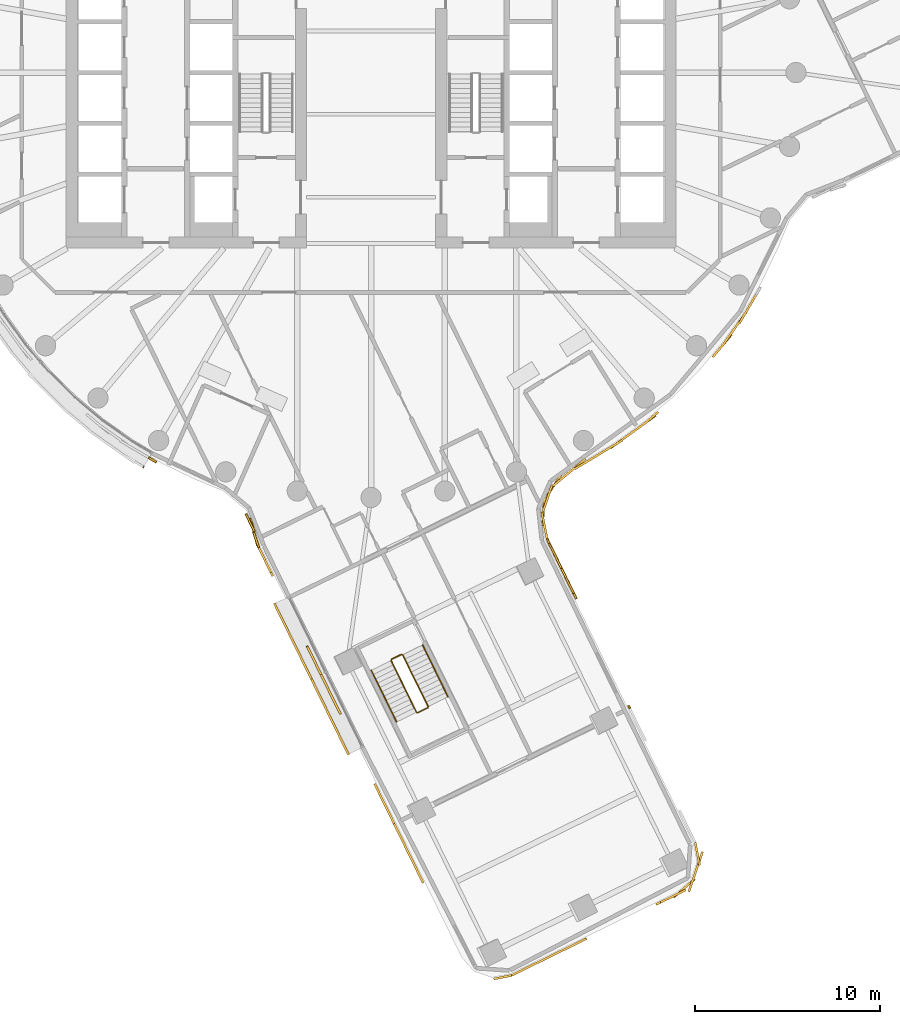
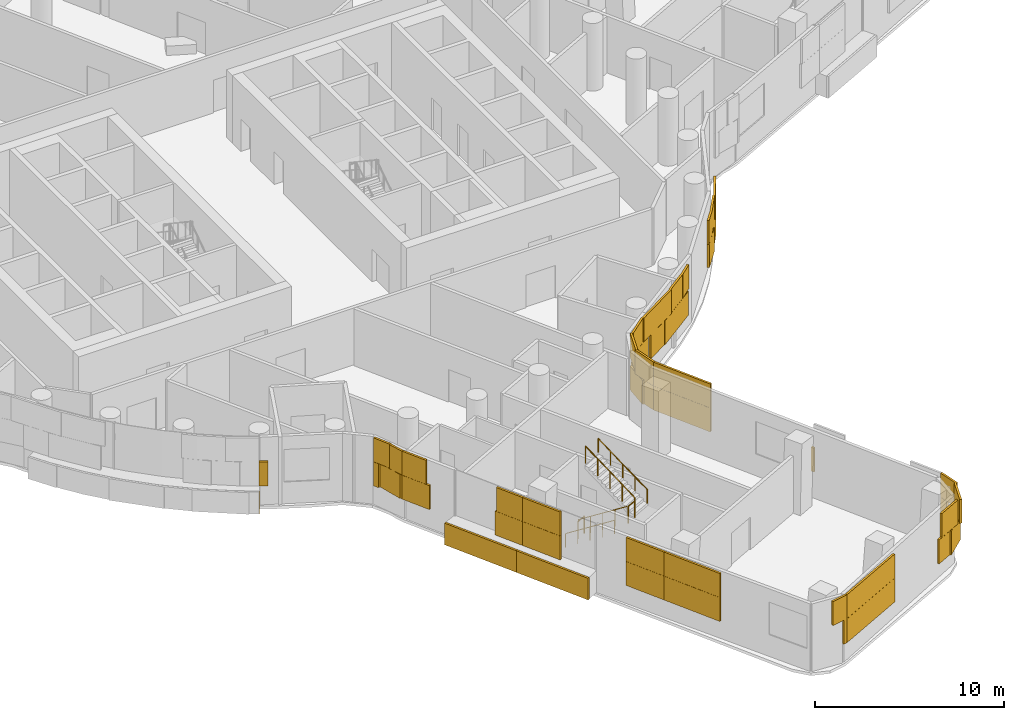
# One storey, part 17 of 23: 7 coverings, 6 railings.
"""IFC4 building model written with IfcOpenShell, lengths in metres."""

from ifc_helpers import new_model, si_unit, direction, frame, origin, origin_2d, place, context, subcontext, project, spatial, rectangle, circle, extrude, material, layer, layer_set, type_object, element, save


model = new_model("IFC4")

# Units and contexts
model_context = context("Model", 3, precision=1e-05, world=origin(), true_north=direction((0.0, 1.0)))
body_context = subcontext(model_context, "Body", "Model", "MODEL_VIEW")
ifc_project = project(units=[si_unit("LENGTHUNIT", "METRE"), si_unit("AREAUNIT", "SQUARE_METRE"), si_unit("VOLUMEUNIT", "CUBIC_METRE"), si_unit("PLANEANGLEUNIT", "RADIAN"), si_unit("MASSUNIT", "GRAM", prefix="KILO")], contexts=[model_context])

# Site, building, storey
site_placement = place(None, origin())
site = spatial("IfcSite", under=ifc_project, at=site_placement, CompositionType="ELEMENT")
building_placement = place(site_placement, origin())
building = spatial("IfcBuilding", under=site, at=building_placement, Name="Tamarind Cross Interchange Tower", CompositionType="ELEMENT")
storey_placement = place(building_placement, frame((0.0, 0.0, 128.5)))
storey = spatial("IfcBuildingStorey", under=building, at=storey_placement, Name="L31", CompositionType="ELEMENT", Elevation=128.5)

# Railings
ifc_material_1 = material(Name="Stair guard")
railing_type_1 = type_object("IfcRailingType", Name="Stair guard", PredefinedType="GUARDRAIL", material=ifc_material_1)
railing_1_placement = place(storey_placement, frame((1.08642578125, -31.8251953125, 0.173095703125)))
element("IfcRailing", 1, at=railing_1_placement, inside=storey, type_object=railing_type_1, Name="L31 ST6 stair guard 1", PredefinedType="GUARDRAIL", context=body_context, shape_type="SweptSolid", body=[
    extrude(circle(Radius=0.02392578125, at=origin_2d()), frame((0.0, 0.0, 1.076171875), z_axis=(0.366474920223, -0.747410813124, 0.554141867461), x_axis=(0.897874629568, 0.440251234613, 0.0)), (0.0, 0.0, 1.0), 3.748046875),
    extrude(circle(Radius=0.02099609375, at=origin_2d()), origin(), (0.0, 0.0, 1.0), 1.052001953125),
    extrude(circle(Radius=0.02099609375, at=origin_2d()), frame((0.34326171875, -0.7001953125, 0.519287109375)), (0.0, 0.0, 1.0), 1.052001953125),
    extrude(circle(Radius=0.02099609375, at=origin_2d()), frame((0.686767578125, -1.400634765625, 1.03857421875)), (0.0, 0.0, 1.0), 1.052001953125),
    extrude(circle(Radius=0.02099609375, at=origin_2d()), frame((1.0302734375, -2.10107421875, 1.5576171875)), (0.0, 0.0, 1.0), 1.052001953125),
    extrude(circle(Radius=0.02099609375, at=origin_2d()), frame((1.37353515625, -2.80126953125, 2.076904296875)), (0.0, 0.0, 1.0), 1.052001953125),
])
railing_2_placement = place(storey_placement, frame((2.52685546875, -34.6494140625, 2.25)))
element("IfcRailing", 2, at=railing_2_placement, inside=storey, type_object=railing_type_1, Name="L31 ST6 stair guard 2", PredefinedType="GUARDRAIL", context=body_context, shape_type="SweptSolid", body=[
    extrude(circle(Radius=0.02392578125, at=origin_2d()), frame((0.0, 0.0, 1.076171875), z_axis=(0.897898651784, 0.44020223889, 0.0), x_axis=(-0.44020223889, 0.897898651784, 0.0)), (0.0, 0.0, 1.0), 0.60009765625),
    extrude(circle(Radius=0.02099609375, at=origin_2d()), origin(), (0.0, 0.0, 1.0), 1.052001953125),
    extrude(circle(Radius=0.02099609375, at=origin_2d()), frame((0.538818359375, 0.26416015625, 0.0)), (0.0, 0.0, 1.0), 1.052001953125),
])
railing_3_placement = place(storey_placement, frame((3.088623046875, -34.318359375, 2.423095703125)))
element("IfcRailing", 3, at=railing_3_placement, inside=storey, type_object=railing_type_1, Name="L31 ST6 stair guard 3", PredefinedType="GUARDRAIL", context=body_context, shape_type="SweptSolid", body=[
    extrude(circle(Radius=0.02392578125, at=origin_2d()), frame((0.0, 0.0, 1.076171875), z_axis=(-0.366457078558, 0.747439562114, 0.554114889316), x_axis=(-0.897889795051, -0.440220303874, 0.0)), (0.0, 0.0, 1.0), 3.748046875),
    extrude(circle(Radius=0.02099609375, at=origin_2d()), origin(), (0.0, 0.0, 1.0), 1.052001953125),
    extrude(circle(Radius=0.02099609375, at=origin_2d()), frame((-0.34326171875, 0.700439453125, 0.519287109375)), (0.0, 0.0, 1.0), 1.052001953125),
    extrude(circle(Radius=0.02099609375, at=origin_2d()), frame((-0.686767578125, 1.40087890625, 1.03857421875)), (0.0, 0.0, 1.0), 1.052001953125),
    extrude(circle(Radius=0.02099609375, at=origin_2d()), frame((-1.0302734375, 2.10107421875, 1.5576171875)), (0.0, 0.0, 1.0), 1.052001953125),
    extrude(circle(Radius=0.02099609375, at=origin_2d()), frame((-1.37353515625, 2.801513671875, 2.076904296875)), (0.0, 0.0, 1.0), 1.052001953125),
])
railing_4_placement = place(storey_placement, frame((1.109375, -31.758056640625, 0.0)))
element("IfcRailing", 4, at=railing_4_placement, inside=storey, type_object=railing_type_1, Name="L31 ST6 stair guard 4", PredefinedType="GUARDRAIL", context=body_context, shape_type="SweptSolid", body=[
    extrude(circle(Radius=0.02392578125, at=origin_2d()), frame((0.0, 0.0, 1.076171875), z_axis=(0.897898651784, 0.44020223889, 0.0), x_axis=(-0.44020223889, 0.897898651784, 0.0)), (0.0, 0.0, 1.0), 0.60009765625),
    extrude(circle(Radius=0.02099609375, at=origin_2d()), origin(), (0.0, 0.0, 1.0), 1.052001953125),
    extrude(circle(Radius=0.02099609375, at=origin_2d()), frame((0.538818359375, 0.26416015625, 0.0)), (0.0, 0.0, 1.0), 1.052001953125),
])
ifc_material_2 = material(Name="Stair handrail")
railing_type_2 = type_object("IfcRailingType", Name="Stair handrail", PredefinedType="HANDRAIL", material=ifc_material_2)
railing_5_placement = place(storey_placement, frame((0.009033203125, -32.353271484375, 0.173095703125)))
element("IfcRailing", 5, at=railing_5_placement, inside=storey, type_object=railing_type_2, Name="L31 ST6 stair handrail 1", PredefinedType="HANDRAIL", context=body_context, shape_type="SweptSolid", body=[
    extrude(circle(Radius=0.02392578125, at=origin_2d()), frame((0.0, 0.0, 0.8759765625), z_axis=(0.366457078558, -0.747439562114, 0.554114889316), x_axis=(0.897889795051, 0.440220303874, 0.0)), (0.0, 0.0, 1.0), 3.748046875),
    extrude(circle(Radius=0.02099609375, at=origin_2d()), origin(), (0.0, 0.0, 1.0), 0.851806640625),
    extrude(circle(Radius=0.02099609375, at=origin_2d()), frame((0.34326171875, -0.700439453125, 0.519287109375)), (0.0, 0.0, 1.0), 0.851806640625),
    extrude(circle(Radius=0.02099609375, at=origin_2d()), frame((0.686767578125, -1.40087890625, 1.03857421875)), (0.0, 0.0, 1.0), 0.851806640625),
    extrude(circle(Radius=0.02099609375, at=origin_2d()), frame((1.0302734375, -2.10107421875, 1.5576171875)), (0.0, 0.0, 1.0), 0.851806640625),
    extrude(circle(Radius=0.02099609375, at=origin_2d()), frame((1.37353515625, -2.801513671875, 2.076904296875)), (0.0, 0.0, 1.0), 0.851806640625),
])
railing_6_placement = place(storey_placement, frame((4.166015625, -33.7900390625, 2.423095703125)))
element("IfcRailing", 6, at=railing_6_placement, inside=storey, type_object=railing_type_2, Name="L31 ST6 stair handrail 2", PredefinedType="HANDRAIL", context=body_context, shape_type="SweptSolid", body=[
    extrude(circle(Radius=0.02392578125, at=origin_2d()), frame((0.0, 0.0, 0.8759765625), z_axis=(-0.366457078558, 0.747439562114, 0.554114889316), x_axis=(-0.897889795051, -0.440220303874, 0.0)), (0.0, 0.0, 1.0), 3.748046875),
    extrude(circle(Radius=0.02099609375, at=origin_2d()), origin(), (0.0, 0.0, 1.0), 0.851806640625),
    extrude(circle(Radius=0.02099609375, at=origin_2d()), frame((-0.34326171875, 0.700439453125, 0.519287109375)), (0.0, 0.0, 1.0), 0.851806640625),
    extrude(circle(Radius=0.02099609375, at=origin_2d()), frame((-0.686767578125, 1.40087890625, 1.03857421875)), (0.0, 0.0, 1.0), 0.851806640625),
    extrude(circle(Radius=0.02099609375, at=origin_2d()), frame((-1.0302734375, 2.10107421875, 1.5576171875)), (0.0, 0.0, 1.0), 0.851806640625),
    extrude(circle(Radius=0.02099609375, at=origin_2d()), frame((-1.37353515625, 2.801513671875, 2.076904296875)), (0.0, 0.0, 1.0), 0.851806640625),
])

# Coverings
ifc_material_3 = material(Name="Terracotta", Category="masonry")
ifc_layer = layer(ifc_material_3, 0.1201171875)
ifc_layer_set = layer_set([ifc_layer], Name="Terracotta")
covering_type = type_object("IfcCoveringType", Name="Terracotta baguette screen unit", PredefinedType="MOLDING", material=ifc_layer_set)
covering_1_placement = place(storey_placement, origin())
element("IfcCovering", 7, at=covering_1_placement, inside=storey, type_object=covering_type, Name="SCR-L31-02-01", PredefinedType="MOLDING", context=body_context, shape_type="SweptSolid", body=[
    extrude(rectangle(XDim=0.481201171875, YDim=0.1201171875, at=origin_2d()), frame((-11.832275390625, -20.960693359375, 1.404052734375), z_axis=(0.0, 0.0, 1.0), x_axis=(0.861248933065, -0.508183308752, 0.0)), (0.0, 0.0, 1.0), 1.5419921875),
    extrude(rectangle(XDim=0.3271484375, YDim=0.1201171875, at=origin_2d()), frame((-6.70361328125, -24.02978515625, 1.404052734375), z_axis=(0.0, 0.0, 1.0), x_axis=(0.430685201848, -0.902502219891, 0.0)), (0.0, 0.0, 1.0), 1.5419921875),
    extrude(rectangle(XDim=1.52001953125, YDim=0.1201171875, at=origin_2d()), frame((-6.33837890625, -24.859375, 1.404052734375), z_axis=(0.0, 0.0, 1.0), x_axis=(0.252867517288, -0.967500914057, 0.0)), (0.0, 0.0, 1.0), 1.5419921875),
    extrude(rectangle(XDim=0.147216796875, YDim=0.1201171875, at=origin_2d()), frame((-6.1005859375, -25.64208984375, 1.404052734375), z_axis=(0.0, 0.0, 1.0), x_axis=(0.319290123445, -0.947657014468, 0.0)), (0.0, 0.0, 1.0), 1.5419921875),
    extrude(rectangle(XDim=1.0771484375, YDim=0.1201171875, at=origin_2d()), frame((-6.5419921875, -24.3681640625, 2.9541015625), z_axis=(0.0, 0.0, 1.0), x_axis=(0.430685201848, -0.902502219891, 0.0)), (0.0, 0.0, 1.0), 1.5419921875),
    extrude(rectangle(XDim=0.897216796875, YDim=0.1201171875, at=origin_2d()), frame((-6.220458984375, -25.286865234375, 2.9541015625), z_axis=(0.0, 0.0, 1.0), x_axis=(0.319290123445, -0.947657014468, 0.0)), (0.0, 0.0, 1.0), 1.5419921875),
    extrude(rectangle(XDim=0.03076171875, YDim=0.1201171875, at=origin_2d()), frame((-12.30908203125, -21.345947265625, 0.00390625), z_axis=(0.0, 0.0, 1.0), x_axis=(0.861248933065, -0.508183308752, 0.0)), (0.0, 0.0, 1.0), 1.39208984375),
])
covering_2_placement = place(storey_placement, origin())
element("IfcCovering", 8, at=covering_2_placement, inside=storey, type_object=covering_type, Name="SCR-L31-03-00", PredefinedType="MOLDING", context=body_context, shape_type="SweptSolid", body=[
    extrude(rectangle(XDim=0.760009765625, YDim=0.1201171875, at=origin_2d()), frame((-5.91357421875, -26.0439453125, 1.404052734375), z_axis=(0.0, 0.0, 1.0), x_axis=(0.440252613806, -0.897873953312, 0.0)), (0.0, 0.0, 1.0), 1.5419921875),
    extrude(rectangle(XDim=0.983642578125, YDim=0.1201171875, at=origin_2d()), frame((-5.5341796875, -26.817626953125, 1.404052734375), z_axis=(0.0, 0.0, 1.0), x_axis=(0.440252613806, -0.897873953312, 0.0)), (0.0, 0.0, 1.0), 1.5419921875),
    extrude(rectangle(XDim=0.83642578125, YDim=0.1201171875, at=origin_2d()), frame((-3.288818359375, -31.396728515625, 1.404052734375), z_axis=(0.0, 0.0, 1.0), x_axis=(0.440252613806, -0.897873953312, 0.0)), (0.0, 0.0, 1.0), 1.5419921875),
    extrude(rectangle(XDim=0.9072265625, YDim=0.1201171875, at=origin_2d()), frame((-2.909423828125, -32.170654296875, 1.404052734375), z_axis=(0.0, 0.0, 1.0), x_axis=(0.440252613806, -0.897873953312, 0.0)), (0.0, 0.0, 1.0), 1.5419921875),
    extrude(rectangle(XDim=1.510009765625, YDim=0.1201171875, at=origin_2d()), frame((-5.74853515625, -26.380615234375, 2.9541015625), z_axis=(0.0, 0.0, 1.0), x_axis=(0.440252613806, -0.897873953312, 0.0)), (0.0, 0.0, 1.0), 1.5419921875),
    extrude(rectangle(XDim=1.52001953125, YDim=0.1201171875, at=origin_2d()), frame((-3.10693359375, -31.767822265625, 2.9541015625), z_axis=(0.0, 0.0, 1.0), x_axis=(0.440252613806, -0.897873953312, 0.0)), (0.0, 0.0, 1.0), 1.5419921875),
    extrude(rectangle(XDim=0.1572265625, YDim=0.1201171875, at=origin_2d()), frame((-2.744384765625, -32.50732421875, 2.9541015625), z_axis=(0.0, 0.0, 1.0), x_axis=(0.440252613806, -0.897873953312, 0.0)), (0.0, 0.0, 1.0), 1.5419921875),
    extrude(rectangle(XDim=0.641845703125, YDim=0.1201171875, at=origin_2d()), frame((-5.0966796875, -29.013916015625, 0.00390625), z_axis=(0.0, 0.0, 1.0), x_axis=(0.440252613806, -0.897873953312, 0.0)), (0.0, 0.0, 1.0), 1.39208984375),
    extrude(rectangle(XDim=1.52001953125, YDim=0.1201171875, at=origin_2d()), frame((-4.629638671875, -29.966552734375, 0.00390625), z_axis=(0.0, 0.0, 1.0), x_axis=(0.440252613806, -0.897873953312, 0.0)), (0.0, 0.0, 1.0), 1.39208984375),
    extrude(rectangle(XDim=1.52001953125, YDim=0.1201171875, at=origin_2d()), frame((-3.96923828125, -31.313232421875, 0.00390625), z_axis=(0.0, 0.0, 1.0), x_axis=(0.440252613806, -0.897873953312, 0.0)), (0.0, 0.0, 1.0), 1.39208984375),
    extrude(rectangle(XDim=0.942138671875, YDim=0.1201171875, at=origin_2d()), frame((-3.43603515625, -32.400634765625, 0.00390625), z_axis=(0.0, 0.0, 1.0), x_axis=(0.440252613806, -0.897873953312, 0.0)), (0.0, 0.0, 1.0), 1.39208984375),
])
covering_3_placement = place(storey_placement, origin())
element("IfcCovering", 9, at=covering_3_placement, inside=storey, type_object=covering_type, Name="SCR-L31-03-01", PredefinedType="MOLDING", context=body_context, shape_type="SweptSolid", body=[
    extrude(rectangle(XDim=0.61279296875, YDim=0.1201171875, at=origin_2d()), frame((-2.579345703125, -32.843994140625, 1.404052734375), z_axis=(0.0, 0.0, 1.0), x_axis=(0.440252613806, -0.897873953312, 0.0)), (0.0, 0.0, 1.0), 1.5419921875),
    extrude(rectangle(XDim=1.52001953125, YDim=0.1201171875, at=origin_2d()), frame((-2.116455078125, -33.7880859375, 1.404052734375), z_axis=(0.0, 0.0, 1.0), x_axis=(0.440252613806, -0.897873953312, 0.0)), (0.0, 0.0, 1.0), 1.5419921875),
    extrude(rectangle(XDim=0.310546875, YDim=0.1201171875, at=origin_2d()), frame((-1.72021484375, -34.59619140625, 1.404052734375), z_axis=(0.0, 0.0, 1.0), x_axis=(0.440252613806, -0.897873953312, 0.0)), (0.0, 0.0, 1.0), 1.5419921875),
    extrude(rectangle(XDim=1.509521484375, YDim=0.1201171875, at=origin_2d()), frame((0.525146484375, -39.175537109375, 1.404052734375), z_axis=(0.0, 0.0, 1.0), x_axis=(0.440252613806, -0.897873953312, 0.0)), (0.0, 0.0, 1.0), 1.5419921875),
    extrude(rectangle(XDim=0.913818359375, YDim=0.1201171875, at=origin_2d()), frame((1.05419921875, -40.25439453125, 1.404052734375), z_axis=(0.0, 0.0, 1.0), x_axis=(0.440252613806, -0.897873953312, 0.0)), (0.0, 0.0, 1.0), 1.5419921875),
    extrude(rectangle(XDim=1.36279296875, YDim=0.1201171875, at=origin_2d()), frame((-2.414306640625, -33.1806640625, 2.9541015625), z_axis=(0.0, 0.0, 1.0), x_axis=(0.440252613806, -0.897873953312, 0.0)), (0.0, 0.0, 1.0), 1.5419921875),
    extrude(rectangle(XDim=1.060546875, YDim=0.1201171875, at=origin_2d()), frame((-1.88525390625, -34.259521484375, 2.9541015625), z_axis=(0.0, 0.0, 1.0), x_axis=(0.440252613806, -0.897873953312, 0.0)), (0.0, 0.0, 1.0), 1.5419921875),
    extrude(rectangle(XDim=0.759521484375, YDim=0.1201171875, at=origin_2d()), frame((0.360107421875, -38.8388671875, 2.9541015625), z_axis=(0.0, 0.0, 1.0), x_axis=(0.440252613806, -0.897873953312, 0.0)), (0.0, 0.0, 1.0), 1.5419921875),
    extrude(rectangle(XDim=1.52001953125, YDim=0.1201171875, at=origin_2d()), frame((0.855224609375, -39.8486328125, 2.9541015625), z_axis=(0.0, 0.0, 1.0), x_axis=(0.440252613806, -0.897873953312, 0.0)), (0.0, 0.0, 1.0), 1.5419921875),
    extrude(rectangle(XDim=0.163818359375, YDim=0.1201171875, at=origin_2d()), frame((1.21923828125, -40.591064453125, 2.9541015625), z_axis=(0.0, 0.0, 1.0), x_axis=(0.440252613806, -0.897873953312, 0.0)), (0.0, 0.0, 1.0), 1.5419921875),
    extrude(rectangle(XDim=0.577880859375, YDim=0.1201171875, at=origin_2d()), frame((-3.101318359375, -33.0830078125, 0.00390625), z_axis=(0.0, 0.0, 1.0), x_axis=(0.440252613806, -0.897873953312, 0.0)), (0.0, 0.0, 1.0), 1.39208984375),
    extrude(rectangle(XDim=1.52001953125, YDim=0.1201171875, at=origin_2d()), frame((-2.6484375, -34.0068359375, 0.00390625), z_axis=(0.0, 0.0, 1.0), x_axis=(0.440252613806, -0.897873953312, 0.0)), (0.0, 0.0, 1.0), 1.39208984375),
    extrude(rectangle(XDim=1.52001953125, YDim=0.1201171875, at=origin_2d()), frame((-1.988037109375, -35.353759765625, 0.00390625), z_axis=(0.0, 0.0, 1.0), x_axis=(0.440252613806, -0.897873953312, 0.0)), (0.0, 0.0, 1.0), 1.39208984375),
    extrude(rectangle(XDim=1.00634765625, YDim=0.1201171875, at=origin_2d()), frame((-1.440673828125, -36.469970703125, 0.00390625), z_axis=(0.0, 0.0, 1.0), x_axis=(0.440252613806, -0.897873953312, 0.0)), (0.0, 0.0, 1.0), 1.39208984375),
])
covering_4_placement = place(storey_placement, origin())
element("IfcCovering", 10, at=covering_4_placement, inside=storey, type_object=covering_type, Name="SCR-L31-03-02", PredefinedType="MOLDING", context=body_context, shape_type="SweptSolid", body=[
    extrude(rectangle(XDim=0.606201171875, YDim=0.1201171875, at=origin_2d()), frame((1.38427734375, -40.927734375, 1.404052734375), z_axis=(0.0, 0.0, 1.0), x_axis=(0.440252613806, -0.897873953312, 0.0)), (0.0, 0.0, 1.0), 1.5419921875),
    extrude(rectangle(XDim=1.52001953125, YDim=0.1201171875, at=origin_2d()), frame((1.845947265625, -41.868896484375, 1.404052734375), z_axis=(0.0, 0.0, 1.0), x_axis=(0.440252613806, -0.897873953312, 0.0)), (0.0, 0.0, 1.0), 1.5419921875),
    extrude(rectangle(XDim=1.469970703125, YDim=0.1201171875, at=origin_2d()), frame((2.497314453125, -43.19775390625, 1.404052734375), z_axis=(0.0, 0.0, 1.0), x_axis=(0.440252613806, -0.897873953312, 0.0)), (0.0, 0.0, 1.0), 1.5419921875),
    extrude(rectangle(XDim=0.22607421875, YDim=0.1201171875, at=origin_2d()), frame((7.488037109375, -48.892333984375, 1.404052734375), z_axis=(0.0, 0.0, 1.0), x_axis=(0.981225401366, 0.192864490548, 0.0)), (0.0, 0.0, 1.0), 1.5419921875),
    extrude(rectangle(XDim=1.356201171875, YDim=0.1201171875, at=origin_2d()), frame((1.549560546875, -41.264404296875, 2.9541015625), z_axis=(0.0, 0.0, 1.0), x_axis=(0.440252613806, -0.897873953312, 0.0)), (0.0, 0.0, 1.0), 1.5419921875),
    extrude(rectangle(XDim=1.52001953125, YDim=0.1201171875, at=origin_2d()), frame((2.176025390625, -42.542236328125, 2.9541015625), z_axis=(0.0, 0.0, 1.0), x_axis=(0.440252613806, -0.897873953312, 0.0)), (0.0, 0.0, 1.0), 1.5419921875),
    extrude(rectangle(XDim=0.719970703125, YDim=0.1201171875, at=origin_2d()), frame((2.662353515625, -43.534423828125, 2.9541015625), z_axis=(0.0, 0.0, 1.0), x_axis=(0.440252613806, -0.897873953312, 0.0)), (0.0, 0.0, 1.0), 1.5419921875),
    extrude(rectangle(XDim=0.97607421875, YDim=0.1201171875, at=origin_2d()), frame((7.1201171875, -48.964599609375, 2.9541015625), z_axis=(0.0, 0.0, 1.0), x_axis=(0.981225401366, 0.192864490548, 0.0)), (0.0, 0.0, 1.0), 1.5419921875),
])
covering_5_placement = place(storey_placement, origin())
element("IfcCovering", 11, at=covering_5_placement, inside=storey, type_object=covering_type, Name="SCR-L31-04-00", PredefinedType="MOLDING", context=body_context, shape_type="SweptSolid", body=[
    extrude(rectangle(XDim=0.760009765625, YDim=0.1201171875, at=origin_2d()), frame((7.9306640625, -48.70654296875, 1.404052734375), z_axis=(0.0, 0.0, 1.0), x_axis=(0.897873953312, 0.440252613806, 0.0)), (0.0, 0.0, 1.0), 1.5419921875),
    extrude(rectangle(XDim=1.52001953125, YDim=0.1201171875, at=origin_2d()), frame((8.940673828125, -48.211181640625, 1.404052734375), z_axis=(0.0, 0.0, 1.0), x_axis=(0.897873953312, 0.440252613806, 0.0)), (0.0, 0.0, 1.0), 1.5419921875),
    extrude(rectangle(XDim=1.52001953125, YDim=0.1201171875, at=origin_2d()), frame((10.28759765625, -47.55078125, 1.404052734375), z_axis=(0.0, 0.0, 1.0), x_axis=(0.897873953312, 0.440252613806, 0.0)), (0.0, 0.0, 1.0), 1.5419921875),
    extrude(rectangle(XDim=0.784912109375, YDim=0.1201171875, at=origin_2d()), frame((11.308837890625, -47.050048828125, 1.404052734375), z_axis=(0.0, 0.0, 1.0), x_axis=(0.897873953312, 0.440252613806, 0.0)), (0.0, 0.0, 1.0), 1.5419921875),
    extrude(rectangle(XDim=1.03515625, YDim=0.1201171875, at=origin_2d()), frame((15.887939453125, -44.8046875, 1.404052734375), z_axis=(0.0, 0.0, 1.0), x_axis=(0.897873953312, 0.440252613806, 0.0)), (0.0, 0.0, 1.0), 1.5419921875),
    extrude(rectangle(XDim=1.52001953125, YDim=0.1201171875, at=origin_2d()), frame((16.952880859375, -44.145263671875, 1.404052734375), z_axis=(0.0, 0.0, 1.0), x_axis=(0.753333879147, 0.657638248986, 0.0)), (0.0, 0.0, 1.0), 1.5419921875),
    extrude(rectangle(XDim=1.52001953125, YDim=0.1201171875, at=origin_2d()), frame((17.69384765625, -42.897705078125, 1.404052734375), z_axis=(0.0, 0.0, 1.0), x_axis=(0.32358715238, 0.946198369695, 0.0)), (0.0, 0.0, 1.0), 1.5419921875),
    extrude(rectangle(XDim=0.509521484375, YDim=0.1201171875, at=origin_2d()), frame((17.59326171875, -41.9228515625, 1.404052734375), z_axis=(0.0, 0.0, 1.0), x_axis=(-0.192864490548, 0.981225401366, 0.0)), (0.0, 0.0, 1.0), 1.5419921875),
    extrude(rectangle(XDim=1.510009765625, YDim=0.1201171875, at=origin_2d()), frame((8.267333984375, -48.541259765625, 2.9541015625), z_axis=(0.0, 0.0, 1.0), x_axis=(0.897873953312, 0.440252613806, 0.0)), (0.0, 0.0, 1.0), 1.5419921875),
    extrude(rectangle(XDim=1.52001953125, YDim=0.1201171875, at=origin_2d()), frame((9.6142578125, -47.881103515625, 2.9541015625), z_axis=(0.0, 0.0, 1.0), x_axis=(0.897873953312, 0.440252613806, 0.0)), (0.0, 0.0, 1.0), 1.5419921875),
    extrude(rectangle(XDim=1.52001953125, YDim=0.1201171875, at=origin_2d()), frame((10.9609375, -47.220703125, 2.9541015625), z_axis=(0.0, 0.0, 1.0), x_axis=(0.897873953312, 0.440252613806, 0.0)), (0.0, 0.0, 1.0), 1.5419921875),
    extrude(rectangle(XDim=1.52001953125, YDim=0.1201171875, at=origin_2d()), frame((16.34814453125, -44.5791015625, 2.9541015625), z_axis=(0.0, 0.0, 1.0), x_axis=(0.897873953312, 0.440252613806, 0.0)), (0.0, 0.0, 1.0), 1.5419921875),
    extrude(rectangle(XDim=1.52001953125, YDim=0.1201171875, at=origin_2d()), frame((17.451171875, -43.607421875, 2.9541015625), z_axis=(0.0, 0.0, 1.0), x_axis=(0.32358715238, 0.946198369695, 0.0)), (0.0, 0.0, 1.0), 1.5419921875),
    extrude(rectangle(XDim=1.259521484375, YDim=0.1201171875, at=origin_2d()), frame((17.66552734375, -42.291015625, 2.9541015625), z_axis=(0.0, 0.0, 1.0), x_axis=(-0.192864490548, 0.981225401366, 0.0)), (0.0, 0.0, 1.0), 1.5419921875),
])
covering_6_placement = place(storey_placement, origin())
element("IfcCovering", 12, at=covering_6_placement, inside=storey, type_object=covering_type, Name="SCR-L31-05-01", PredefinedType="MOLDING", context=body_context, shape_type="SweptSolid", body=[
    extrude(rectangle(XDim=0.179443359375, YDim=0.1201171875, at=origin_2d()), frame((13.9638671875, -34.33984375, 1.404052734375), z_axis=(0.0, 0.0, 1.0), x_axis=(-0.438582979909, 0.898690697479, 0.0)), (0.0, 0.0, 1.0), 1.5419921875),
    extrude(rectangle(XDim=1.07958984375, YDim=0.1201171875, at=origin_2d()), frame((10.871826171875, -28.004150390625, 1.404052734375), z_axis=(0.0, 0.0, 1.0), x_axis=(-0.438582979909, 0.898690697479, 0.0)), (0.0, 0.0, 1.0), 1.5419921875),
    extrude(rectangle(XDim=1.52001953125, YDim=0.1201171875, at=origin_2d()), frame((10.308349609375, -26.849365234375, 1.404052734375), z_axis=(0.0, 0.0, 1.0), x_axis=(-0.438582979909, 0.898690697479, 0.0)), (0.0, 0.0, 1.0), 1.5419921875),
    extrude(rectangle(XDim=1.04052734375, YDim=0.1201171875, at=origin_2d()), frame((9.75341796875, -25.71240234375, 1.404052734375), z_axis=(0.0, 0.0, 1.0), x_axis=(-0.438582979909, 0.898690697479, 0.0)), (0.0, 0.0, 1.0), 1.5419921875),
    extrude(rectangle(XDim=0.32958984375, YDim=0.1201171875, at=origin_2d()), frame((11.036376953125, -28.341064453125, 2.9541015625), z_axis=(0.0, 0.0, 1.0), x_axis=(-0.438582979909, 0.898690697479, 0.0)), (0.0, 0.0, 1.0), 1.5419921875),
    extrude(rectangle(XDim=1.52001953125, YDim=0.1201171875, at=origin_2d()), frame((10.63720703125, -27.5234375, 2.9541015625), z_axis=(0.0, 0.0, 1.0), x_axis=(-0.438582979909, 0.898690697479, 0.0)), (0.0, 0.0, 1.0), 1.5419921875),
    extrude(rectangle(XDim=1.52001953125, YDim=0.1201171875, at=origin_2d()), frame((9.9794921875, -26.175537109375, 2.9541015625), z_axis=(0.0, 0.0, 1.0), x_axis=(-0.438582979909, 0.898690697479, 0.0)), (0.0, 0.0, 1.0), 1.5419921875),
    extrude(rectangle(XDim=0.29052734375, YDim=0.1201171875, at=origin_2d()), frame((9.5888671875, -25.375244140625, 2.9541015625), z_axis=(0.0, 0.0, 1.0), x_axis=(-0.438582979909, 0.898690697479, 0.0)), (0.0, 0.0, 1.0), 1.5419921875),
])
covering_7_placement = place(storey_placement, origin())
element("IfcCovering", 13, at=covering_7_placement, inside=storey, type_object=covering_type, Name="SCR-L31-06-00", PredefinedType="MOLDING", context=body_context, shape_type="SweptSolid", body=[
    extrude(rectangle(XDim=0.760009765625, YDim=0.1201171875, at=origin_2d()), frame((9.455078125, -24.88134765625, 1.404052734375), z_axis=(0.0, 0.0, 1.0), x_axis=(-0.192672199254, 0.98126317756, 0.0)), (0.0, 0.0, 1.0), 1.5419921875),
    extrude(rectangle(XDim=1.52001953125, YDim=0.1201171875, at=origin_2d()), frame((9.33349609375, -23.771484375, 1.404052734375), z_axis=(0.0, 0.0, 1.0), x_axis=(0.068058059063, 0.997681362258, 0.0)), (0.0, 0.0, 1.0), 1.5419921875),
    extrude(rectangle(XDim=1.52001953125, YDim=0.1201171875, at=origin_2d()), frame((9.87646484375, -22.3896484375, 1.404052734375), z_axis=(0.0, 0.0, 1.0), x_axis=(0.55810594669, 0.829769698331, 0.0)), (0.0, 0.0, 1.0), 1.5419921875),
    extrude(rectangle(XDim=1.52001953125, YDim=0.1201171875, at=origin_2d()), frame((11.0078125, -21.4111328125, 1.404052734375), z_axis=(0.0, 0.0, 1.0), x_axis=(0.76950568161, 0.638639965842, 0.0)), (0.0, 0.0, 1.0), 1.5419921875),
    extrude(rectangle(XDim=1.52001953125, YDim=0.1201171875, at=origin_2d()), frame((12.314453125, -20.67626953125, 1.404052734375), z_axis=(0.0, 0.0, 1.0), x_axis=(0.856843065292, 0.515577308909, 0.0)), (0.0, 0.0, 1.0), 1.5419921875),
    extrude(rectangle(XDim=1.52001953125, YDim=0.1201171875, at=origin_2d()), frame((13.581787109375, -19.875732421875, 1.404052734375), z_axis=(0.0, 0.0, 1.0), x_axis=(0.811340475102, 0.584573890505, 0.0)), (0.0, 0.0, 1.0), 1.5419921875),
    extrude(rectangle(XDim=1.52001953125, YDim=0.1201171875, at=origin_2d()), frame((14.798583984375, -18.998779296875, 1.404052734375), z_axis=(0.0, 0.0, 1.0), x_axis=(0.811340475102, 0.584573890505, 0.0)), (0.0, 0.0, 1.0), 1.5419921875),
    extrude(rectangle(XDim=1.52001953125, YDim=0.1201171875, at=origin_2d()), frame((19.027587890625, -14.76318359375, 1.404052734375), z_axis=(0.0, 0.0, 1.0), x_axis=(0.643009266048, 0.765858396687, 0.0)), (0.0, 0.0, 1.0), 1.5419921875),
    extrude(rectangle(XDim=1.52001953125, YDim=0.1201171875, at=origin_2d()), frame((19.8984375, -13.542236328125, 1.404052734375), z_axis=(0.0, 0.0, 1.0), x_axis=(0.577568978284, 0.816341886298, 0.0)), (0.0, 0.0, 1.0), 1.5419921875),
    extrude(rectangle(XDim=1.038818359375, YDim=0.1201171875, at=origin_2d()), frame((20.57958984375, -12.478271484375, 1.404052734375), z_axis=(0.0, 0.0, 1.0), x_axis=(0.508183308752, 0.861248933065, 0.0)), (0.0, 0.0, 1.0), 1.5419921875),
    extrude(rectangle(XDim=1.510009765625, YDim=0.1201171875, at=origin_2d()), frame((9.383056640625, -24.51318359375, 2.9541015625), z_axis=(0.0, 0.0, 1.0), x_axis=(-0.192672199254, 0.98126317756, 0.0)), (0.0, 0.0, 1.0), 1.5419921875),
    extrude(rectangle(XDim=1.52001953125, YDim=0.1201171875, at=origin_2d()), frame((9.54541015625, -23.0556640625, 2.9541015625), z_axis=(0.0, 0.0, 1.0), x_axis=(0.324143366817, 0.946007969178, 0.0)), (0.0, 0.0, 1.0), 1.5419921875),
    extrude(rectangle(XDim=1.52001953125, YDim=0.1201171875, at=origin_2d()), frame((10.4306640625, -21.89013671875, 2.9541015625), z_axis=(0.0, 0.0, 1.0), x_axis=(0.76950568161, 0.638639965842, 0.0)), (0.0, 0.0, 1.0), 1.5419921875),
    extrude(rectangle(XDim=1.52001953125, YDim=0.1201171875, at=origin_2d()), frame((11.671875, -21.06298828125, 2.9541015625), z_axis=(0.0, 0.0, 1.0), x_axis=(0.856843065292, 0.515577308909, 0.0)), (0.0, 0.0, 1.0), 1.5419921875),
    extrude(rectangle(XDim=1.52001953125, YDim=0.1201171875, at=origin_2d()), frame((12.95703125, -20.289794921875, 2.9541015625), z_axis=(0.0, 0.0, 1.0), x_axis=(0.856843065292, 0.515577308909, 0.0)), (0.0, 0.0, 1.0), 1.5419921875),
    extrude(rectangle(XDim=1.52001953125, YDim=0.1201171875, at=origin_2d()), frame((14.190185546875, -19.437255859375, 2.9541015625), z_axis=(0.0, 0.0, 1.0), x_axis=(0.811340475102, 0.584573890505, 0.0)), (0.0, 0.0, 1.0), 1.5419921875),
    extrude(rectangle(XDim=0.9814453125, YDim=0.1201171875, at=origin_2d()), frame((15.1728515625, -18.689453125, 2.9541015625), z_axis=(0.0, 0.0, 1.0), x_axis=(0.760295606781, 0.64957723968, 0.0)), (0.0, 0.0, 1.0), 1.5419921875),
    extrude(rectangle(XDim=0.838623046875, YDim=0.1201171875, at=origin_2d()), frame((18.76123046875, -15.08056640625, 2.9541015625), z_axis=(0.0, 0.0, 1.0), x_axis=(0.643009266048, 0.765858396687, 0.0)), (0.0, 0.0, 1.0), 1.5419921875),
    extrude(rectangle(XDim=1.52001953125, YDim=0.1201171875, at=origin_2d()), frame((19.46533203125, -14.154296875, 2.9541015625), z_axis=(0.0, 0.0, 1.0), x_axis=(0.577568978284, 0.816341886298, 0.0)), (0.0, 0.0, 1.0), 1.5419921875),
    extrude(rectangle(XDim=1.52001953125, YDim=0.1201171875, at=origin_2d()), frame((20.318359375, -12.921142578125, 2.9541015625), z_axis=(0.0, 0.0, 1.0), x_axis=(0.508183308752, 0.861248933065, 0.0)), (0.0, 0.0, 1.0), 1.5419921875),
    extrude(rectangle(XDim=0.288818359375, YDim=0.1201171875, at=origin_2d()), frame((20.770263671875, -12.1552734375, 2.9541015625), z_axis=(0.0, 0.0, 1.0), x_axis=(0.508183308752, 0.861248933065, 0.0)), (0.0, 0.0, 1.0), 1.5419921875),
])

save(model, "model.ifc")
